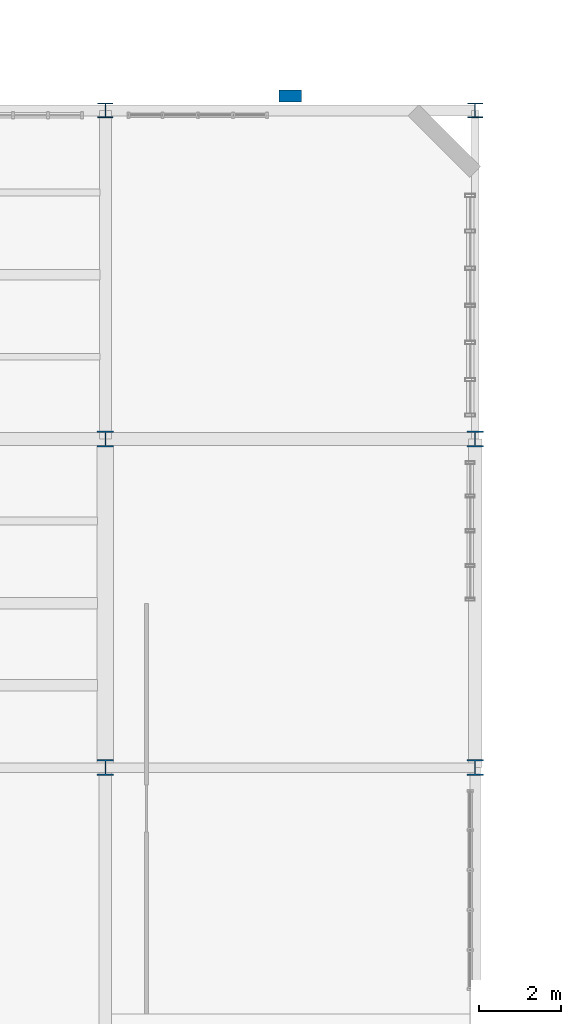
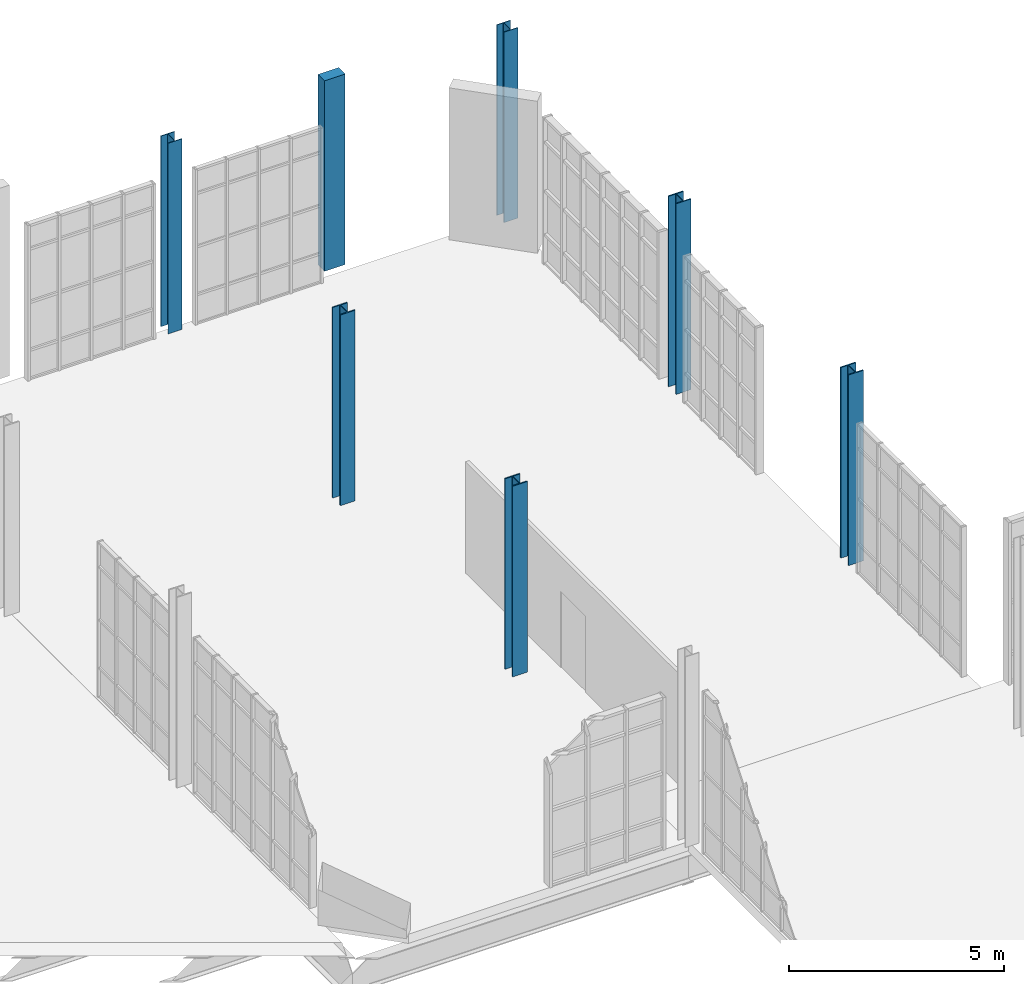
# One storey, part 12 of 189: 7 columns.
"""IFC4 building model written with IfcOpenShell, lengths in metres."""

from ifc_helpers import new_model, si_unit, direction, frame, origin, origin_2d, place, context, subcontext, project, spatial, rectangle, i_section, extrude, material, material_profile, profile_set, type_object, element, save


model = new_model("IFC4")

# Units and contexts
model_context = context("Model", 3, precision=1e-05, world=origin(), true_north=direction((0.0, 1.0)))
body_context = subcontext(model_context, "Body", "Model", "MODEL_VIEW")
ifc_project = project(units=[si_unit("LENGTHUNIT", "METRE"), si_unit("AREAUNIT", "SQUARE_METRE"), si_unit("VOLUMEUNIT", "CUBIC_METRE"), si_unit("PLANEANGLEUNIT", "RADIAN"), si_unit("MASSUNIT", "GRAM", prefix="KILO"), si_unit("THERMODYNAMICTEMPERATUREUNIT", "KELVIN"), si_unit("POWERUNIT", "WATT")], contexts=[model_context])

# Site, building, storey
site_placement = place(None, origin())
site = spatial("IfcSite", under=ifc_project, at=site_placement, CompositionType="ELEMENT")
building_placement = place(site_placement, origin())
building = spatial("IfcBuilding", under=site, at=building_placement, Name="Zelmaris Science Centre", CompositionType="ELEMENT")
storey_placement = place(building_placement, origin())
storey = spatial("IfcBuildingStorey", under=building, at=storey_placement, Name="L00", CompositionType="ELEMENT", Elevation=0.0)

# Columns
ifc_material_1 = material(Name="Steel ASTM A992 Grade 50", Category="steel")
ifc_material_profile_1 = material_profile(ifc_material_1, i_section(OverallWidth=0.39892578125, OverallDepth=0.385986328125, WebThickness=0.02099609375, FlangeThickness=0.033203125, FilletRadius=0.014892578125, at=origin_2d()), Name="W14X176")
ifc_profile_set_1 = profile_set([ifc_material_profile_1], Name="Steel ASTM A992 Grade 50")
column_type_1 = type_object("IfcColumnType", Name="Column C-04 W14X176", PredefinedType="COLUMN", material=ifc_profile_set_1)
for number, where, z_axis, x_axis, name in (
    (1, (99.0, 72.0, 0.0), (0.0, 0.0, 1.0), (1.0, 0.0, 0.0), "Column V5-C-99-72 L00"),
    (2, (99.0, 80.0, 0.0), (0.0, 0.0, 1.0), (1.0, 0.0, 0.0), "Column V5-C-99-80 L00"),
    (3, (108.0, 72.0, 0.0), (0.0, 0.0, 1.0), (1.0, 0.0, 0.0), "Column V5-C-108-72 L00"),
    (4, (108.0, 80.0, 0.0), (0.0, 0.0, 1.0), (1.0, 0.0, 0.0), "Column V5-C-108-80 L00"),
):
    element("IfcColumn", number, at=place(storey_placement, frame(where, z_axis=z_axis, x_axis=x_axis)), inside=storey, type_object=column_type_1, Name=name, PredefinedType="COLUMN", context=body_context, shape_type="SweptSolid", body=[
        extrude(i_section(OverallWidth=0.39892578125, OverallDepth=0.385986328125, WebThickness=0.02099609375, FlangeThickness=0.033203125, FilletRadius=0.014892578125, at=origin_2d()), origin(), (0.0, 0.0, 1.0), 5.39990234375),
    ])
ifc_material_profile_2 = material_profile(ifc_material_1, i_section(OverallWidth=0.367919921875, OverallDepth=0.35595703125, WebThickness=0.01123046875, FlangeThickness=0.01806640625, FilletRadius=0.014892578125, at=origin_2d()), Name="W14X90")
ifc_profile_set_2 = profile_set([ifc_material_profile_2], Name="Steel ASTM A992 Grade 50")
column_type_2 = type_object("IfcColumnType", Name="Column C-07 W14X90", PredefinedType="COLUMN", material=ifc_profile_set_2)
for number, where, z_axis, x_axis, name in (
    (5, (99.0, 88.0, 0.0), (0.0, 0.0, 1.0), (1.0, 0.0, 0.0), "Column V5-C-99-88 L00"),
    (6, (108.0, 88.0, 0.0), (0.0, 0.0, 1.0), (1.0, 0.0, 0.0), "Column V5-C-108-88 L00"),
):
    element("IfcColumn", number, at=place(storey_placement, frame(where, z_axis=z_axis, x_axis=x_axis)), inside=storey, type_object=column_type_2, Name=name, PredefinedType="COLUMN", context=body_context, shape_type="SweptSolid", body=[
        extrude(i_section(OverallWidth=0.367919921875, OverallDepth=0.35595703125, WebThickness=0.01123046875, FlangeThickness=0.01806640625, FilletRadius=0.014892578125, at=origin_2d()), origin(), (0.0, 0.0, 1.0), 5.39990234375),
    ])
ifc_material_2 = material(Name="Yucatan limestone ashlar masonry", Category="masonry")
ifc_material_profile_3 = material_profile(ifc_material_2, rectangle(XDim=0.550048828125, YDim=0.300048828125, at=origin_2d()), Name="PIL-LIM-550X300")
ifc_profile_set_3 = profile_set([ifc_material_profile_3], Name="Yucatan limestone ashlar masonry")
column_type_3 = type_object("IfcColumnType", Name="Pilaster PL-03 PIL-LIM-550X300", PredefinedType="PILASTER", material=ifc_profile_set_3)
column_placement = place(storey_placement, frame((103.5, 88.35009765625, 0.0), z_axis=(0.0, 0.0, 1.0), x_axis=(1.0, 0.0, 0.0)))
element("IfcColumn", 7, at=column_placement, inside=storey, type_object=column_type_3, Name="Limestone pilaster PIL-V5N-3 L00", PredefinedType="PILASTER", context=body_context, shape_type="SweptSolid", body=[
    extrude(rectangle(XDim=0.550048828125, YDim=0.300048828125, at=origin_2d()), origin(), (0.0, 0.0, 1.0), 5.39990234375),
])

save(model, "model.ifc")
